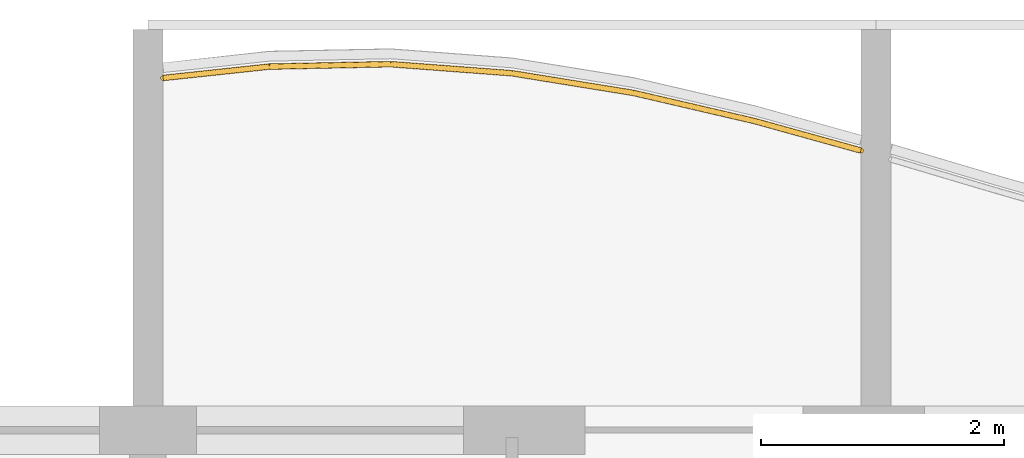
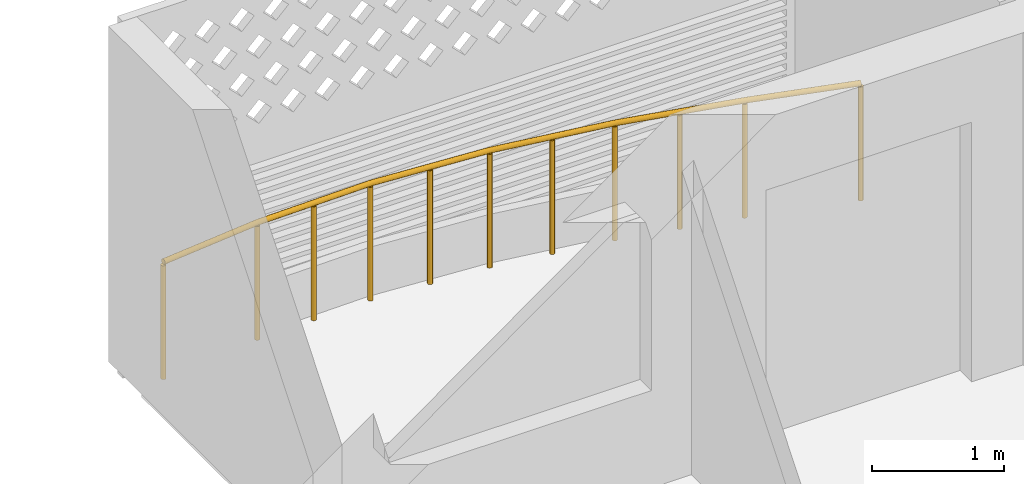
# One storey, part 28 of 33: 1 railing.
"""IFC4 building model written with IfcOpenShell, lengths in metres."""

from ifc_helpers import new_model, si_unit, direction, frame, origin, origin_2d, place, context, subcontext, project, spatial, circle, extrude, material, type_object, element, save


model = new_model("IFC4")

# Units and contexts
model_context = context("Model", 3, precision=1e-05, world=origin(), true_north=direction((0.0, 1.0)))
body_context = subcontext(model_context, "Body", "Model", "MODEL_VIEW")
ifc_project = project(units=[si_unit("LENGTHUNIT", "METRE"), si_unit("AREAUNIT", "SQUARE_METRE"), si_unit("VOLUMEUNIT", "CUBIC_METRE"), si_unit("PLANEANGLEUNIT", "RADIAN"), si_unit("MASSUNIT", "GRAM", prefix="KILO")], contexts=[model_context])

# Site, building, storey
site_placement = place(None, origin())
site = spatial("IfcSite", under=ifc_project, at=site_placement, CompositionType="ELEMENT")
building_placement = place(site_placement, origin())
building = spatial("IfcBuilding", under=site, at=building_placement, Name="Poui Terraces", CompositionType="ELEMENT")
storey_placement = place(building_placement, frame((0.0, 0.0, 135.60009765625)))
storey = spatial("IfcBuildingStorey", under=building, at=storey_placement, Name="L37", CompositionType="ELEMENT", Elevation=135.60009765625)

# Railing
ifc_material = material(Name="Painted steel fretwork", Category="steel")
railing_type = type_object("IfcRailingType", Name="BALCONY GUARD 1100", PredefinedType="GUARDRAIL", material=ifc_material)
railing_placement = place(storey_placement, frame((66.125, 45.30224609375, 0.0)))
element("IfcRailing", 1, at=railing_placement, inside=storey, type_object=railing_type, Name="BALCONY GUARD", PredefinedType="GUARDRAIL", context=body_context, shape_type="SweptSolid", body=[
    extrude(circle(Radius=0.02392578125, at=origin_2d()), frame((0.0, 0.0, 1.076171875), z_axis=(0.99430915392, 0.106533123634, 0.0), x_axis=(-0.106533123634, 0.99430915392, 0.0)), (0.0, 0.0, 1.0), 0.880126953125),
    extrude(circle(Radius=0.02392578125, at=origin_2d()), frame((0.875, 0.09375, 1.076171875), z_axis=(0.999799669399, 0.020015520725, 0.0), x_axis=(-0.020015520725, 0.999799669399, 0.0)), (0.0, 0.0, 1.0), 1.000244140625),
    extrude(circle(Radius=0.02392578125, at=origin_2d()), frame((1.875, 0.11376953125, 1.076171875), z_axis=(0.997202940152, -0.074741528962, 0.0), x_axis=(0.074741528962, 0.997202940152, 0.0)), (0.0, 0.0, 1.0), 1.002685546875),
    extrude(circle(Radius=0.02392578125, at=origin_2d()), frame((2.875, 0.038818359375, 1.076171875), z_axis=(0.987151750337, -0.159785549432, 0.0), x_axis=(0.159785549432, 0.987151750337, 0.0)), (0.0, 0.0, 1.0), 1.012939453125),
    extrude(circle(Radius=0.02392578125, at=origin_2d()), frame((3.875, -0.123046875, 1.076171875), z_axis=(0.974037301865, -0.226387576019, 0.0), x_axis=(0.226387576019, 0.974037301865, 0.0)), (0.0, 0.0, 1.0), 1.026611328125),
    extrude(circle(Radius=0.02392578125, at=origin_2d()), frame((4.875, -0.35546875, 1.076171875), z_axis=(0.963694902628, -0.267005870064, 0.0), x_axis=(0.267005870064, 0.963694902628, 0.0)), (0.0, 0.0, 1.0), 0.907958984375),
    extrude(circle(Radius=0.02099609375, at=origin_2d()), origin(), (0.0, 0.0, 1.0), 1.052001953125),
    extrude(circle(Radius=0.02099609375, at=origin_2d()), frame((0.875, 0.09375, 0.0)), (0.0, 0.0, 1.0), 1.052001953125),
    extrude(circle(Radius=0.02099609375, at=origin_2d()), frame((1.375, 0.103759765625, 0.0)), (0.0, 0.0, 1.0), 1.052001953125),
    extrude(circle(Radius=0.02099609375, at=origin_2d()), frame((1.875, 0.11376953125, 0.0)), (0.0, 0.0, 1.0), 1.052001953125),
    extrude(circle(Radius=0.02099609375, at=origin_2d()), frame((2.375, 0.076171875, 0.0)), (0.0, 0.0, 1.0), 1.052001953125),
    extrude(circle(Radius=0.02099609375, at=origin_2d()), frame((2.875, 0.038818359375, 0.0)), (0.0, 0.0, 1.0), 1.052001953125),
    extrude(circle(Radius=0.02099609375, at=origin_2d()), frame((3.375, -0.0419921875, 0.0)), (0.0, 0.0, 1.0), 1.052001953125),
    extrude(circle(Radius=0.02099609375, at=origin_2d()), frame((3.875, -0.123046875, 0.0)), (0.0, 0.0, 1.0), 1.052001953125),
    extrude(circle(Radius=0.02099609375, at=origin_2d()), frame((4.375, -0.2392578125, 0.0)), (0.0, 0.0, 1.0), 1.052001953125),
    extrude(circle(Radius=0.02099609375, at=origin_2d()), frame((4.875, -0.35546875, 0.0)), (0.0, 0.0, 1.0), 1.052001953125),
    extrude(circle(Radius=0.02099609375, at=origin_2d()), frame((5.75, -0.597900390625, 0.0)), (0.0, 0.0, 1.0), 1.052001953125),
])

save(model, "model.ifc")
